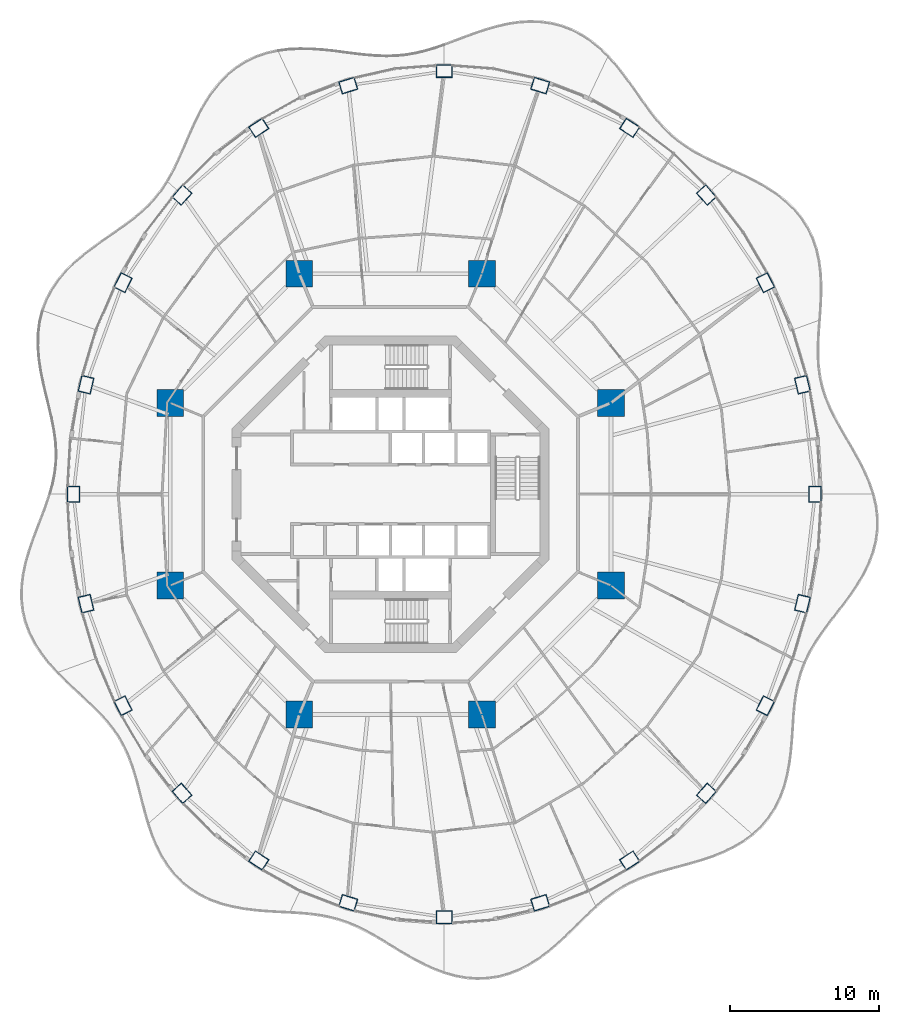
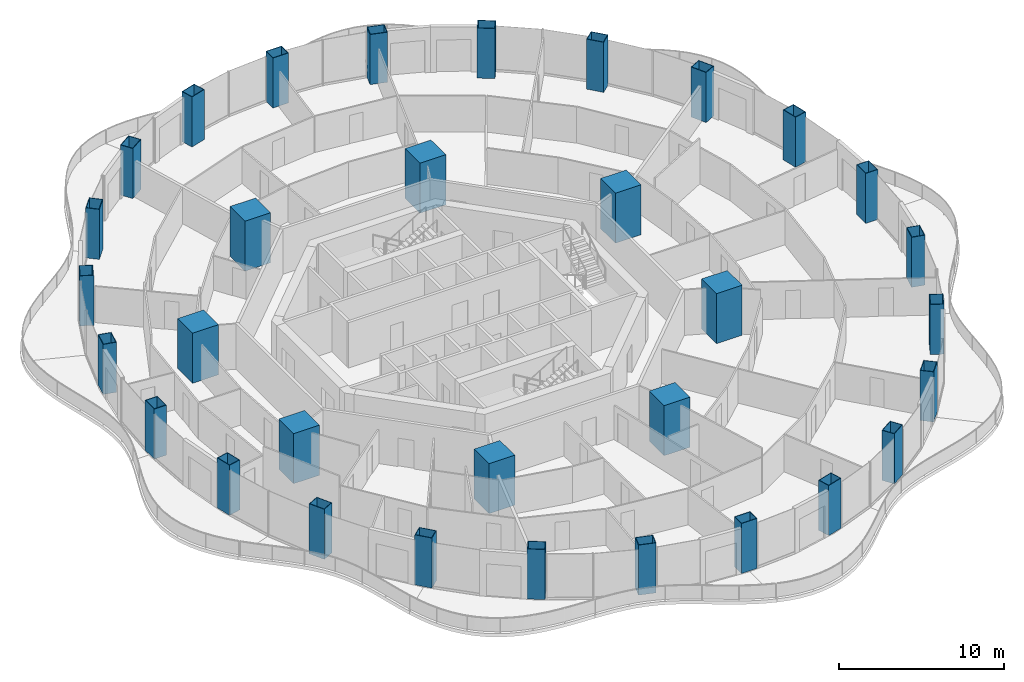
# One storey, part 1 of 19: 32 columns.
"""IFC4 building model written with IfcOpenShell, lengths in metres."""

from ifc_helpers import new_model, si_unit, direction, frame, origin, origin_2d, place, context, subcontext, project, spatial, rectangle, hollow_rectangle, extrude, material, material_profile, profile_set, type_object, element, save


model = new_model("IFC4")

# Units and contexts
model_context = context("Model", 3, precision=1e-05, world=origin(), true_north=direction((0.0, 1.0)))
body_context = subcontext(model_context, "Body", "Model", "MODEL_VIEW")
ifc_project = project(units=[si_unit("LENGTHUNIT", "METRE"), si_unit("AREAUNIT", "SQUARE_METRE"), si_unit("VOLUMEUNIT", "CUBIC_METRE"), si_unit("PLANEANGLEUNIT", "RADIAN"), si_unit("MASSUNIT", "GRAM", prefix="KILO")], contexts=[model_context])

# Site, building, storey
site_placement = place(None, origin())
site = spatial("IfcSite", under=ifc_project, at=site_placement, CompositionType="ELEMENT")
building_placement = place(site_placement, origin())
building = spatial("IfcBuilding", under=site, at=building_placement, Name="Nagisa Residences", CompositionType="ELEMENT")
storey_placement = place(building_placement, frame((0.0, 0.0, 202.89990234375)))
storey = spatial("IfcBuildingStorey", under=building, at=storey_placement, Name="L51", CompositionType="ELEMENT", Elevation=202.89990234375)

# Columns
ifc_material_1 = material(Name="Concrete C80", Category="concrete")
ifc_material_profile_1 = material_profile(ifc_material_1, rectangle(XDim=1.800048828125, YDim=1.800048828125, at=origin_2d()), Name="C80 1800x1800")
ifc_profile_set_1 = profile_set([ifc_material_profile_1], Name="Concrete C80")
column_type_1 = type_object("IfcColumnType", Name="Inner megacolumn C80 1800x1800", PredefinedType="COLUMN", material=ifc_profile_set_1)
for number, where, z_axis, x_axis, name in (
    (1, (14.781982421875, 6.123046875, 0.0), (0.0, 0.0, 1.0), (1.0, 0.0, 0.0), "col:L51:i1"),
    (2, (6.123046875, 14.781982421875, 0.0), (0.0, 0.0, 1.0), (1.0, 0.0, 0.0), "col:L51:i2"),
    (3, (-6.123046875, 14.781982421875, 0.0), (0.0, 0.0, 1.0), (1.0, 0.0, 0.0), "col:L51:i3"),
    (4, (-14.781982421875, 6.123046875, 0.0), (0.0, 0.0, 1.0), (1.0, 0.0, 0.0), "col:L51:i4"),
    (5, (-14.781982421875, -6.123046875, 0.0), (0.0, 0.0, 1.0), (1.0, 0.0, 0.0), "col:L51:i5"),
    (6, (-6.123046875, -14.781982421875, 0.0), (0.0, 0.0, 1.0), (1.0, 0.0, 0.0), "col:L51:i6"),
    (7, (6.123046875, -14.781982421875, 0.0), (0.0, 0.0, 1.0), (1.0, 0.0, 0.0), "col:L51:i7"),
    (8, (14.781982421875, -6.123046875, 0.0), (0.0, 0.0, 1.0), (1.0, 0.0, 0.0), "col:L51:i8"),
):
    element("IfcColumn", number, at=place(storey_placement, frame(where, z_axis=z_axis, x_axis=x_axis)), inside=storey, type_object=column_type_1, Name=name, PredefinedType="COLUMN", context=body_context, shape_type="SweptSolid", body=[
        extrude(rectangle(XDim=1.800048828125, YDim=1.800048828125, at=origin_2d()), origin(), (0.0, 0.0, 1.0), 3.7001953125),
    ])
ifc_material_2 = material(Name="Steel ASTM A572 Gr 50", Category="steel")
ifc_material_profile_2 = material_profile(ifc_material_2, hollow_rectangle(XDim=1.10009765625, YDim=0.85009765625, WallThickness=0.035888671875, at=origin_2d()), Name="BX 1100x850x36")
ifc_profile_set_2 = profile_set([ifc_material_profile_2], Name="Steel ASTM A572 Gr 50")
column_type_2 = type_object("IfcColumnType", Name="Perimeter column BX 1100x850x36", PredefinedType="COLUMN", material=ifc_profile_set_2)
for number, where, z_axis, x_axis, name in (
    (9, (28.47509765625, 0.0, 0.0), (0.0, 0.0, 1.0), (0.0, 1.0, 0.0), "col:L51:p00"),
    (10, (27.62744140625, 7.343994140625, 0.0), (0.0, 0.0, 1.0), (-0.229202013103, 0.973378876486, 0.0), "col:L51:p01"),
    (11, (25.142333984375, 14.1875, 0.0), (0.0, 0.0, 1.0), (-0.452462697578, 0.891783329795, 0.0), "col:L51:p02"),
    (12, (21.189208984375, 20.064208984375, 0.0), (0.0, 0.0, 1.0), (-0.660114607735, 0.751164898445, 0.0), "col:L51:p03"),
    (13, (16.03759765625, 24.573486328125, 0.0), (0.0, 0.0, 1.0), (-0.835766105673, 0.54908561865, 0.0), "col:L51:p04"),
    (14, (10.0380859375, 27.408203125, 0.0), (0.0, 0.0, 1.0), (-0.956524583408, 0.291651712384, 0.0), "col:L51:p05"),
    (15, (3.60009765625, 28.375, 0.0), (0.0, 0.0, 1.0), (-1.0, 0.0, 0.0), "col:L51:p06"),
    (16, (-2.838134765625, 27.408203125, 0.0), (0.0, 0.0, 1.0), (-0.956524583408, -0.291651712384, 0.0), "col:L51:p07"),
    (17, (-8.83740234375, 24.573486328125, 0.0), (0.0, 0.0, 1.0), (-0.835766105673, -0.54908561865, 0.0), "col:L51:p08"),
    (18, (-13.9892578125, 20.064208984375, 0.0), (0.0, 0.0, 1.0), (-0.660114607735, -0.751164898445, 0.0), "col:L51:p09"),
    (19, (-17.9423828125, 14.1875, 0.0), (0.0, 0.0, 1.0), (-0.452462697578, -0.891783329795, 0.0), "col:L51:p10"),
    (20, (-20.427490234375, 7.343994140625, 0.0), (0.0, 0.0, 1.0), (-0.229202013103, -0.973378876486, 0.0), "col:L51:p11"),
    (21, (-21.27490234375, 0.0, 0.0), (0.0, 0.0, 1.0), (0.0, -1.0, 0.0), "col:L51:p12"),
    (22, (-20.427490234375, -7.343994140625, 0.0), (0.0, 0.0, 1.0), (0.229202013103, -0.973378876486, 0.0), "col:L51:p13"),
    (23, (-17.9423828125, -14.1875, 0.0), (0.0, 0.0, 1.0), (0.452462697578, -0.891783329795, 0.0), "col:L51:p14"),
    (24, (-13.9892578125, -20.064208984375, 0.0), (0.0, 0.0, 1.0), (0.660114607735, -0.751164898445, 0.0), "col:L51:p15"),
    (25, (-8.83740234375, -24.573486328125, 0.0), (0.0, 0.0, 1.0), (0.835766105673, -0.54908561865, 0.0), "col:L51:p16"),
    (26, (-2.838134765625, -27.408203125, 0.0), (0.0, 0.0, 1.0), (0.956524583408, -0.291651712384, 0.0), "col:L51:p17"),
    (27, (3.60009765625, -28.375, 0.0), (0.0, 0.0, 1.0), (1.0, 0.0, 0.0), "col:L51:p18"),
    (28, (10.0380859375, -27.408203125, 0.0), (0.0, 0.0, 1.0), (0.956524583408, 0.291651712384, 0.0), "col:L51:p19"),
    (29, (16.03759765625, -24.573486328125, 0.0), (0.0, 0.0, 1.0), (0.835766105673, 0.54908561865, 0.0), "col:L51:p20"),
    (30, (21.189208984375, -20.064208984375, 0.0), (0.0, 0.0, 1.0), (0.660114607735, 0.751164898445, 0.0), "col:L51:p21"),
    (31, (25.142333984375, -14.1875, 0.0), (0.0, 0.0, 1.0), (0.452462697578, 0.891783329795, 0.0), "col:L51:p22"),
    (32, (27.62744140625, -7.343994140625, 0.0), (0.0, 0.0, 1.0), (0.229202013103, 0.973378876486, 0.0), "col:L51:p23"),
):
    element("IfcColumn", number, at=place(storey_placement, frame(where, z_axis=z_axis, x_axis=x_axis)), inside=storey, type_object=column_type_2, Name=name, PredefinedType="COLUMN", context=body_context, shape_type="SweptSolid", body=[
        extrude(hollow_rectangle(XDim=1.10009765625, YDim=0.85009765625, WallThickness=0.035888671875, at=origin_2d()), origin(), (0.0, 0.0, 1.0), 3.7001953125),
    ])

save(model, "model.ifc")
